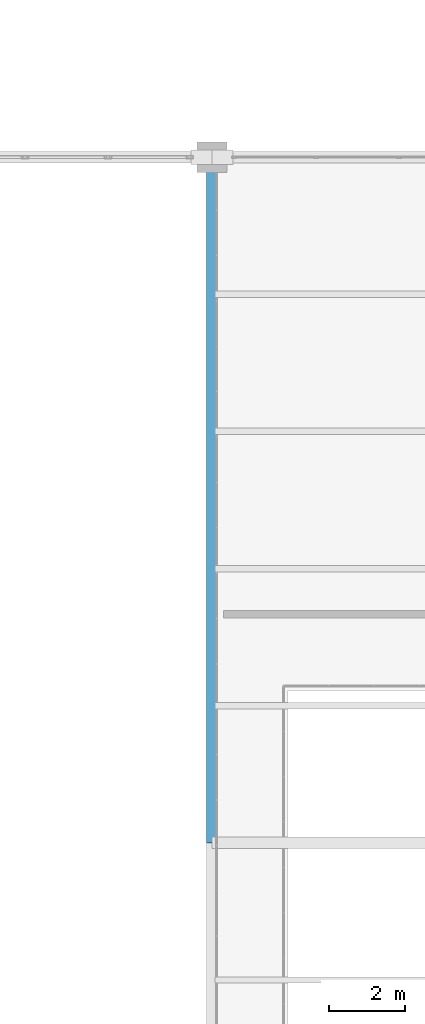
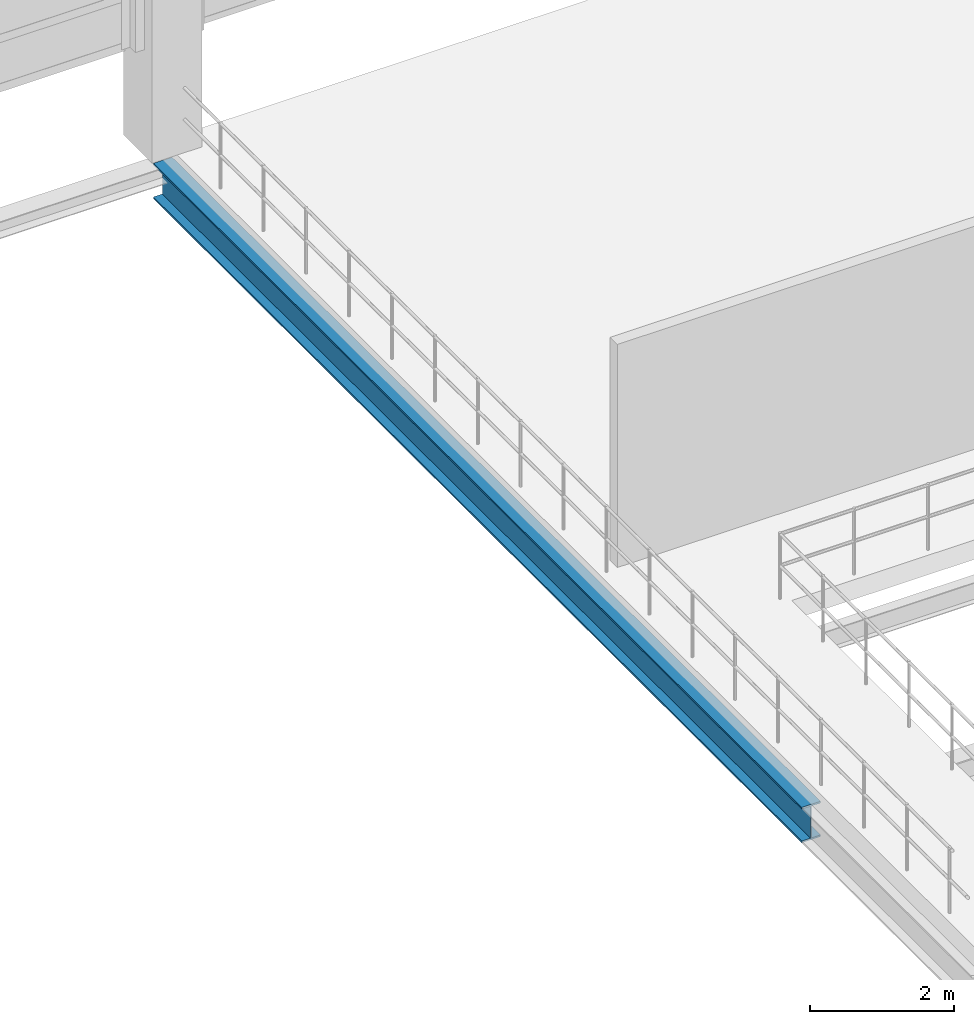
# One storey, part 58 of 86: 1 beam.
"""IFC4 building model written with IfcOpenShell, lengths in metres."""

from ifc_helpers import new_model, si_unit, direction, frame, origin, origin_2d, place, context, subcontext, project, spatial, i_section, extrude, material, material_profile, profile_set, type_object, element, save


model = new_model("IFC4")

# Units and contexts
model_context = context("Model", 3, precision=1e-05, world=origin(), true_north=direction((0.0, 1.0)))
body_context = subcontext(model_context, "Body", "Model", "MODEL_VIEW")
ifc_project = project(units=[si_unit("LENGTHUNIT", "METRE"), si_unit("AREAUNIT", "SQUARE_METRE"), si_unit("VOLUMEUNIT", "CUBIC_METRE"), si_unit("PLANEANGLEUNIT", "RADIAN"), si_unit("MASSUNIT", "GRAM", prefix="KILO")], contexts=[model_context])

# Site, building, storey
site_placement = place(None, origin())
site = spatial("IfcSite", under=ifc_project, at=site_placement, CompositionType="ELEMENT")
building_placement = place(site_placement, origin())
building = spatial("IfcBuilding", under=site, at=building_placement, Name="Zilviju Railside Exhibition Hall", CompositionType="ELEMENT")
storey_placement = place(building_placement, frame((0.0, 0.0, 12.60009765625)))
storey = spatial("IfcBuildingStorey", under=building, at=storey_placement, Name="L04", CompositionType="ELEMENT", Elevation=12.60009765625)

# Beam
ifc_material = material(Name="Steel S355J2", Category="steel")
ifc_material_profile = material_profile(ifc_material, i_section(OverallWidth=0.300048828125, OverallDepth=0.60009765625, WebThickness=0.015380859375, FlangeThickness=0.030029296875, at=origin_2d()), Name="HEB 600")
ifc_profile_set = profile_set([ifc_material_profile], Name="Steel S355J2")
beam_type = type_object("IfcBeamType", Name="BM-HEB600", PredefinedType="BEAM", material=ifc_profile_set)
beam_placement = place(storey_placement, frame((156.0, 120.0, -0.630126953125), z_axis=(0.0, 1.0, 0.0), x_axis=(-1.0, 0.0, 0.0)))
element("IfcBeam", 1, at=beam_placement, inside=storey, type_object=beam_type, Name="Transverse Girder L04 X=156.0 (120.0..138.0)", PredefinedType="BEAM", context=body_context, shape_type="SweptSolid", body=[
    extrude(i_section(OverallWidth=0.300048828125, OverallDepth=0.60009765625, WebThickness=0.015380859375, FlangeThickness=0.030029296875, at=origin_2d()), origin(), (0.0, 0.0, 1.0), 18.0),
])

save(model, "model.ifc")
